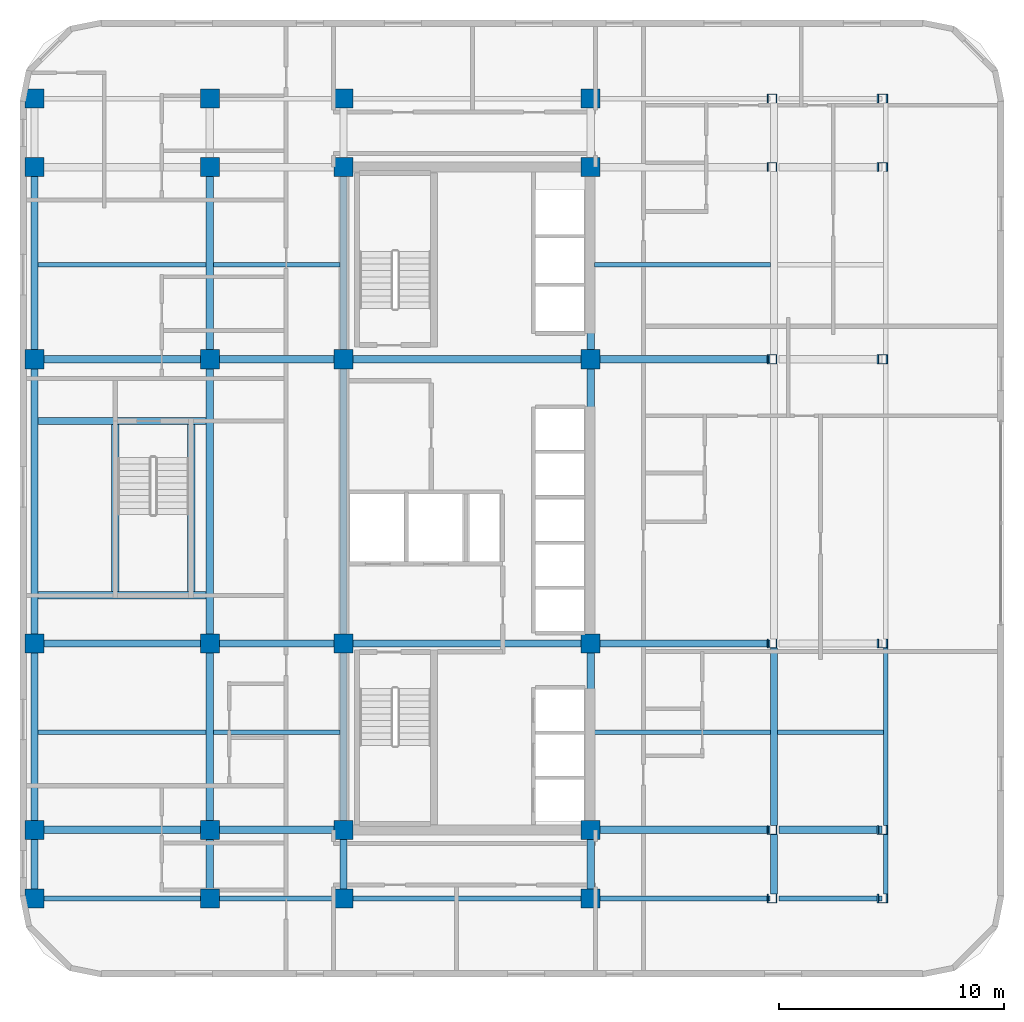
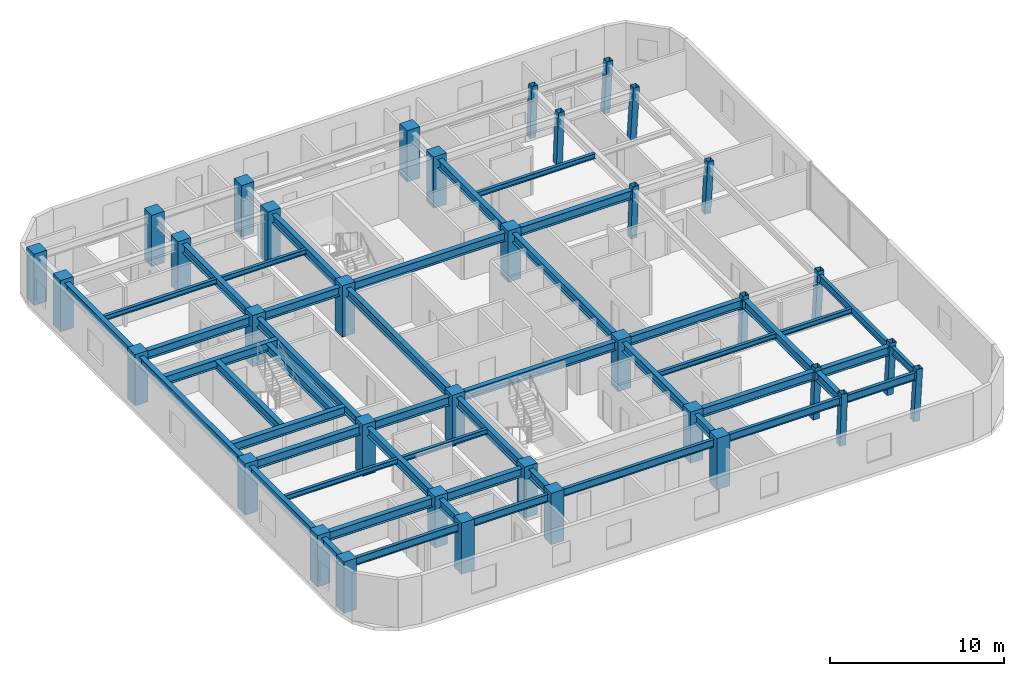
# One storey, part 1 of 9: 48 beams, 36 columns.
"""IFC4 building model written with IfcOpenShell, lengths in metres."""

from ifc_helpers import new_model, si_unit, direction, frame, origin, origin_2d, place, context, subcontext, project, spatial, rectangle, hollow_rectangle, i_section, extrude, material, material_profile, profile_set, type_object, element, save


model = new_model("IFC4")

# Units and contexts
model_context = context("Model", 3, precision=1e-05, world=origin(), true_north=direction((0.0, 1.0)))
body_context = subcontext(model_context, "Body", "Model", "MODEL_VIEW")
ifc_project = project(units=[si_unit("LENGTHUNIT", "METRE"), si_unit("AREAUNIT", "SQUARE_METRE"), si_unit("VOLUMEUNIT", "CUBIC_METRE"), si_unit("PLANEANGLEUNIT", "RADIAN"), si_unit("MASSUNIT", "GRAM", prefix="KILO")], contexts=[model_context])

# Site, building, storey
site_placement = place(None, origin())
site = spatial("IfcSite", under=ifc_project, at=site_placement, CompositionType="ELEMENT")
building_placement = place(site_placement, origin())
building = spatial("IfcBuilding", under=site, at=building_placement, Name="Ochreholt Gables", CompositionType="ELEMENT")
storey_placement = place(building_placement, frame((0.0, 0.0, 94.800048828125)))
storey = spatial("IfcBuildingStorey", under=building, at=storey_placement, Name="L24", CompositionType="ELEMENT", Elevation=94.800048828125)

# Columns
ifc_material_1 = material(Name="Steel CSA G40.21 350W", Category="steel")
ifc_material_profile_1 = material_profile(ifc_material_1, hollow_rectangle(XDim=0.406005859375, YDim=0.406005859375, WallThickness=0.01611328125, at=origin_2d()), Name="HSS406X406X16")
ifc_profile_set_1 = profile_set([ifc_material_profile_1], Name="Steel CSA G40.21 350W")
column_type_1 = type_object("IfcColumnType", Name="COL-HSS406-RAK", PredefinedType="COLUMN", material=ifc_profile_set_1)
for number, where, z_axis, x_axis, name in (
    (1, (43.25390625, 9.25, 0.0), (0.034973505036, 0.0, 0.999388239847), (0.0, 1.0, 0.0), "L24 Column EMY2"),
    (2, (43.25390625, 17.550048828125, 0.0), (0.034973505036, 0.0, 0.999388239847), (0.0, 1.0, 0.0), "L24 Column EMY3"),
    (3, (43.25390625, 30.199951171875, 0.0), (0.034973505036, 0.0, 0.999388239847), (0.0, 1.0, 0.0), "L24 Column EMY4"),
    (4, (43.25390625, 38.75, 0.0), (0.034973505036, 0.0, 0.999388239847), (0.0, 1.0, 0.0), "L24 Column EMY5"),
):
    element("IfcColumn", number, at=place(storey_placement, frame(where, z_axis=z_axis, x_axis=x_axis)), inside=storey, type_object=column_type_1, Name=name, PredefinedType="COLUMN", context=body_context, shape_type="SweptSolid", body=[
        extrude(hollow_rectangle(XDim=0.406005859375, YDim=0.406005859375, WallThickness=0.01611328125, at=origin_2d()), origin(), (0.0, 0.0, 1.0), 3.60205078125),
    ])
ifc_material_profile_2 = material_profile(ifc_material_1, hollow_rectangle(XDim=0.406005859375, YDim=0.406005859375, WallThickness=0.01611328125, at=origin_2d()), Name="HSS406X406X16")
ifc_profile_set_2 = profile_set([ifc_material_profile_2], Name="Steel CSA G40.21 350W")
column_type_2 = type_object("IfcColumnType", Name="COL-HSS406-RAKE", PredefinedType="COLUMN", material=ifc_profile_set_2)
for number, where, z_axis, x_axis, name in (
    (5, (43.25390625, 6.199951171875, 0.0), (0.034973505036, 0.0, 0.999388239847), (0.0, 1.0, 0.0), "L24 Column EMY1"),
    (6, (43.25390625, 41.800048828125, 0.0), (0.034973505036, 0.0, 0.999388239847), (0.0, 1.0, 0.0), "L24 Column EMY6"),
):
    element("IfcColumn", number, at=place(storey_placement, frame(where, z_axis=z_axis, x_axis=x_axis)), inside=storey, type_object=column_type_2, Name=name, PredefinedType="COLUMN", context=body_context, shape_type="SweptSolid", body=[
        extrude(hollow_rectangle(XDim=0.406005859375, YDim=0.406005859375, WallThickness=0.01611328125, at=origin_2d()), origin(), (0.0, 0.0, 1.0), 3.60205078125),
    ])
for number, where, z_axis, x_axis, name in (
    (7, (48.1552734375, 6.199951171875, 0.0), (0.057888518877, 0.0, 0.998323053617), (0.0, 1.0, 0.0), "L24 Column EEY1"),
    (8, (48.1552734375, 9.25, 0.0), (0.057888518877, 0.0, 0.998323053617), (0.0, 1.0, 0.0), "L24 Column EEY2"),
    (9, (48.1552734375, 17.550048828125, 0.0), (0.057888518877, 0.0, 0.998323053617), (0.0, 1.0, 0.0), "L24 Column EEY3"),
    (10, (48.1552734375, 30.199951171875, 0.0), (0.057888518877, 0.0, 0.998323053617), (0.0, 1.0, 0.0), "L24 Column EEY4"),
    (11, (48.1552734375, 38.75, 0.0), (0.057888518877, 0.0, 0.998323053617), (0.0, 1.0, 0.0), "L24 Column EEY5"),
    (12, (48.1552734375, 41.800048828125, 0.0), (0.057888518877, 0.0, 0.998323053617), (0.0, 1.0, 0.0), "L24 Column EEY6"),
):
    element("IfcColumn", number, at=place(storey_placement, frame(where, z_axis=z_axis, x_axis=x_axis)), inside=storey, type_object=column_type_2, Name=name, PredefinedType="COLUMN", context=body_context, shape_type="SweptSolid", body=[
        extrude(hollow_rectangle(XDim=0.406005859375, YDim=0.406005859375, WallThickness=0.01611328125, at=origin_2d()), origin(), (0.0, 0.0, 1.0), 3.60595703125),
    ])
ifc_material_2 = material(Name="Concrete 60 MPa", Category="concrete")
ifc_material_profile_3 = material_profile(ifc_material_2, rectangle(XDim=0.85009765625, YDim=0.85009765625, at=origin_2d()), Name="RC850X850")
ifc_profile_set_3 = profile_set([ifc_material_profile_3], Name="Concrete 60 MPa")
column_type_3 = type_object("IfcColumnType", Name="COL-RC850-EXT", PredefinedType="COLUMN", material=ifc_profile_set_3)
for number, where, z_axis, x_axis, name in (
    (13, (10.449951171875, 6.199951171875, 0.0), (0.0, 0.0, 1.0), (1.0, 0.0, 0.0), "L24 Column W2Y1"),
    (14, (10.449951171875, 9.25, 0.0), (0.0, 0.0, 1.0), (1.0, 0.0, 0.0), "L24 Column W2Y2"),
    (15, (10.449951171875, 17.550048828125, 0.0), (0.0, 0.0, 1.0), (1.0, 0.0, 0.0), "L24 Column W2Y3"),
    (16, (10.449951171875, 30.199951171875, 0.0), (0.0, 0.0, 1.0), (1.0, 0.0, 0.0), "L24 Column W2Y4"),
    (17, (10.449951171875, 38.75, 0.0), (0.0, 0.0, 1.0), (1.0, 0.0, 0.0), "L24 Column W2Y5"),
    (18, (10.449951171875, 41.800048828125, 0.0), (0.0, 0.0, 1.0), (1.0, 0.0, 0.0), "L24 Column W2Y6"),
    (19, (18.25, 6.199951171875, 0.0), (0.0, 0.0, 1.0), (1.0, 0.0, 0.0), "L24 Column W3Y1"),
    (20, (18.25, 41.800048828125, 0.0), (0.0, 0.0, 1.0), (1.0, 0.0, 0.0), "L24 Column W3Y6"),
    (21, (24.199951171875, 6.199951171875, 0.0), (0.0, 0.0, 1.0), (1.0, 0.0, 0.0), "L24 Column C1Y1"),
    (22, (24.199951171875, 41.800048828125, 0.0), (0.0, 0.0, 1.0), (1.0, 0.0, 0.0), "L24 Column C1Y6"),
    (23, (35.199951171875, 6.199951171875, 0.0), (0.0, 0.0, 1.0), (1.0, 0.0, 0.0), "L24 Column C2Y1"),
    (24, (35.199951171875, 41.800048828125, 0.0), (0.0, 0.0, 1.0), (1.0, 0.0, 0.0), "L24 Column C2Y6"),
):
    element("IfcColumn", number, at=place(storey_placement, frame(where, z_axis=z_axis, x_axis=x_axis)), inside=storey, type_object=column_type_3, Name=name, PredefinedType="COLUMN", context=body_context, shape_type="SweptSolid", body=[
        extrude(rectangle(XDim=0.85009765625, YDim=0.85009765625, at=origin_2d()), origin(), (0.0, 0.0, 1.0), 3.599853515625),
    ])
ifc_material_profile_4 = material_profile(ifc_material_2, rectangle(XDim=0.85009765625, YDim=0.85009765625, at=origin_2d()), Name="RC850X850")
ifc_profile_set_4 = profile_set([ifc_material_profile_4], Name="Concrete 60 MPa")
column_type_4 = type_object("IfcColumnType", Name="COL-RC850-INT", PredefinedType="COLUMN", material=ifc_profile_set_4)
for number, where, z_axis, x_axis, name in (
    (25, (18.25, 9.25, 0.0), (0.0, 0.0, 1.0), (1.0, 0.0, 0.0), "L24 Column W3Y2"),
    (26, (18.25, 17.550048828125, 0.0), (0.0, 0.0, 1.0), (1.0, 0.0, 0.0), "L24 Column W3Y3"),
    (27, (18.25, 30.199951171875, 0.0), (0.0, 0.0, 1.0), (1.0, 0.0, 0.0), "L24 Column W3Y4"),
    (28, (18.25, 38.75, 0.0), (0.0, 0.0, 1.0), (1.0, 0.0, 0.0), "L24 Column W3Y5"),
    (29, (24.199951171875, 9.25, 0.0), (0.0, 0.0, 1.0), (1.0, 0.0, 0.0), "L24 Column C1Y2"),
    (30, (24.199951171875, 17.550048828125, 0.0), (0.0, 0.0, 1.0), (1.0, 0.0, 0.0), "L24 Column C1Y3"),
    (31, (24.199951171875, 30.199951171875, 0.0), (0.0, 0.0, 1.0), (1.0, 0.0, 0.0), "L24 Column C1Y4"),
    (32, (24.199951171875, 38.75, 0.0), (0.0, 0.0, 1.0), (1.0, 0.0, 0.0), "L24 Column C1Y5"),
    (33, (35.199951171875, 9.25, 0.0), (0.0, 0.0, 1.0), (1.0, 0.0, 0.0), "L24 Column C2Y2"),
    (34, (35.199951171875, 17.550048828125, 0.0), (0.0, 0.0, 1.0), (1.0, 0.0, 0.0), "L24 Column C2Y3"),
    (35, (35.199951171875, 30.199951171875, 0.0), (0.0, 0.0, 1.0), (1.0, 0.0, 0.0), "L24 Column C2Y4"),
    (36, (35.199951171875, 38.75, 0.0), (0.0, 0.0, 1.0), (1.0, 0.0, 0.0), "L24 Column C2Y5"),
):
    element("IfcColumn", number, at=place(storey_placement, frame(where, z_axis=z_axis, x_axis=x_axis)), inside=storey, type_object=column_type_4, Name=name, PredefinedType="COLUMN", context=body_context, shape_type="SweptSolid", body=[
        extrude(rectangle(XDim=0.85009765625, YDim=0.85009765625, at=origin_2d()), origin(), (0.0, 0.0, 1.0), 3.599853515625),
    ])

# Beams
ifc_material_profile_5 = material_profile(ifc_material_1, i_section(OverallWidth=0.323974609375, OverallDepth=0.611083984375, WebThickness=0.0126953125, FlangeThickness=0.01904296875, at=origin_2d()), Name="W610X155")
ifc_profile_set_5 = profile_set([ifc_material_profile_5], Name="Steel CSA G40.21 350W")
beam_type_1 = type_object("IfcBeamType", Name="BM-G-W610A", PredefinedType="BEAM", material=ifc_profile_set_5)
beam_1_placement = place(storey_placement, frame((10.87451171875, 9.25, 3.04443359375), z_axis=(1.0, 0.0, 0.0), x_axis=(0.0, 1.0, 0.0)))
element("IfcBeam", 37, at=beam_1_placement, inside=storey, type_object=beam_type_1, Name="L24 Beam TBG-L24-W2W3-Y2", PredefinedType="BEAM", context=body_context, shape_type="SweptSolid", body=[
    extrude(i_section(OverallWidth=0.323974609375, OverallDepth=0.611083984375, WebThickness=0.0126953125, FlangeThickness=0.01904296875, at=origin_2d()), origin(), (0.0, 0.0, 1.0), 6.950927734375),
])
beam_2_placement = place(storey_placement, frame((18.674560546875, 9.25, 3.04443359375), z_axis=(1.0, 0.0, 0.0), x_axis=(0.0, 1.0, 0.0)))
element("IfcBeam", 38, at=beam_2_placement, inside=storey, type_object=beam_type_1, Name="L24 Beam TBG-L24-W3C1-Y2", PredefinedType="BEAM", context=body_context, shape_type="SweptSolid", body=[
    extrude(i_section(OverallWidth=0.323974609375, OverallDepth=0.611083984375, WebThickness=0.0126953125, FlangeThickness=0.01904296875, at=origin_2d()), origin(), (0.0, 0.0, 1.0), 5.100830078125),
])
beam_3_placement = place(storey_placement, frame((35.62451171875, 9.25, 3.04443359375), z_axis=(1.0, 0.0, 0.0), x_axis=(0.0, 1.0, 0.0)))
element("IfcBeam", 39, at=beam_3_placement, inside=storey, type_object=beam_type_1, Name="L24 Beam TBG-L24-C2EM-Y2", PredefinedType="BEAM", context=body_context, shape_type="SweptSolid", body=[
    extrude(i_section(OverallWidth=0.323974609375, OverallDepth=0.611083984375, WebThickness=0.0126953125, FlangeThickness=0.01904296875, at=origin_2d()), origin(), (0.0, 0.0, 1.0), 7.552978515625),
])
beam_4_placement = place(storey_placement, frame((43.58251953125, 9.25, 3.04443359375), z_axis=(1.0, 0.0, 0.0), x_axis=(0.0, 1.0, 0.0)))
element("IfcBeam", 40, at=beam_4_placement, inside=storey, type_object=beam_type_1, Name="L24 Beam TBG-L24-EMEE-Y2", PredefinedType="BEAM", context=body_context, shape_type="SweptSolid", body=[
    extrude(i_section(OverallWidth=0.323974609375, OverallDepth=0.611083984375, WebThickness=0.0126953125, FlangeThickness=0.01904296875, at=origin_2d()), origin(), (0.0, 0.0, 1.0), 4.578857421875),
])
beam_5_placement = place(storey_placement, frame((10.87451171875, 17.550048828125, 3.04443359375), z_axis=(1.0, 0.0, 0.0), x_axis=(0.0, 1.0, 0.0)))
element("IfcBeam", 41, at=beam_5_placement, inside=storey, type_object=beam_type_1, Name="L24 Beam TBG-L24-W2W3-Y3", PredefinedType="BEAM", context=body_context, shape_type="SweptSolid", body=[
    extrude(i_section(OverallWidth=0.323974609375, OverallDepth=0.611083984375, WebThickness=0.0126953125, FlangeThickness=0.01904296875, at=origin_2d()), origin(), (0.0, 0.0, 1.0), 6.950927734375),
])
beam_6_placement = place(storey_placement, frame((18.674560546875, 17.550048828125, 3.04443359375), z_axis=(1.0, 0.0, 0.0), x_axis=(0.0, 1.0, 0.0)))
element("IfcBeam", 42, at=beam_6_placement, inside=storey, type_object=beam_type_1, Name="L24 Beam TBG-L24-W3C1-Y3", PredefinedType="BEAM", context=body_context, shape_type="SweptSolid", body=[
    extrude(i_section(OverallWidth=0.323974609375, OverallDepth=0.611083984375, WebThickness=0.0126953125, FlangeThickness=0.01904296875, at=origin_2d()), origin(), (0.0, 0.0, 1.0), 5.100830078125),
])
beam_7_placement = place(storey_placement, frame((24.62451171875, 17.550048828125, 3.04443359375), z_axis=(1.0, 0.0, 0.0), x_axis=(0.0, 1.0, 0.0)))
element("IfcBeam", 43, at=beam_7_placement, inside=storey, type_object=beam_type_1, Name="L24 Beam TBG-L24-C1C2-Y3", PredefinedType="BEAM", context=body_context, shape_type="SweptSolid", body=[
    extrude(i_section(OverallWidth=0.323974609375, OverallDepth=0.611083984375, WebThickness=0.0126953125, FlangeThickness=0.01904296875, at=origin_2d()), origin(), (0.0, 0.0, 1.0), 10.15087890625),
])
beam_8_placement = place(storey_placement, frame((35.62451171875, 17.550048828125, 3.04443359375), z_axis=(1.0, 0.0, 0.0), x_axis=(0.0, 1.0, 0.0)))
element("IfcBeam", 44, at=beam_8_placement, inside=storey, type_object=beam_type_1, Name="L24 Beam TBG-L24-C2EM-Y3", PredefinedType="BEAM", context=body_context, shape_type="SweptSolid", body=[
    extrude(i_section(OverallWidth=0.323974609375, OverallDepth=0.611083984375, WebThickness=0.0126953125, FlangeThickness=0.01904296875, at=origin_2d()), origin(), (0.0, 0.0, 1.0), 7.552978515625),
])
beam_9_placement = place(storey_placement, frame((10.87451171875, 30.199951171875, 3.04443359375), z_axis=(1.0, 0.0, 0.0), x_axis=(0.0, 1.0, 0.0)))
element("IfcBeam", 45, at=beam_9_placement, inside=storey, type_object=beam_type_1, Name="L24 Beam TBG-L24-W2W3-Y4", PredefinedType="BEAM", context=body_context, shape_type="SweptSolid", body=[
    extrude(i_section(OverallWidth=0.323974609375, OverallDepth=0.611083984375, WebThickness=0.0126953125, FlangeThickness=0.01904296875, at=origin_2d()), origin(), (0.0, 0.0, 1.0), 6.950927734375),
])
beam_10_placement = place(storey_placement, frame((18.674560546875, 30.199951171875, 3.04443359375), z_axis=(1.0, 0.0, 0.0), x_axis=(0.0, 1.0, 0.0)))
element("IfcBeam", 46, at=beam_10_placement, inside=storey, type_object=beam_type_1, Name="L24 Beam TBG-L24-W3C1-Y4", PredefinedType="BEAM", context=body_context, shape_type="SweptSolid", body=[
    extrude(i_section(OverallWidth=0.323974609375, OverallDepth=0.611083984375, WebThickness=0.0126953125, FlangeThickness=0.01904296875, at=origin_2d()), origin(), (0.0, 0.0, 1.0), 5.100830078125),
])
beam_11_placement = place(storey_placement, frame((24.62451171875, 30.199951171875, 3.04443359375), z_axis=(1.0, 0.0, 0.0), x_axis=(0.0, 1.0, 0.0)))
element("IfcBeam", 47, at=beam_11_placement, inside=storey, type_object=beam_type_1, Name="L24 Beam TBG-L24-C1C2-Y4", PredefinedType="BEAM", context=body_context, shape_type="SweptSolid", body=[
    extrude(i_section(OverallWidth=0.323974609375, OverallDepth=0.611083984375, WebThickness=0.0126953125, FlangeThickness=0.01904296875, at=origin_2d()), origin(), (0.0, 0.0, 1.0), 10.15087890625),
])
beam_12_placement = place(storey_placement, frame((35.62451171875, 30.199951171875, 3.04443359375), z_axis=(1.0, 0.0, 0.0), x_axis=(0.0, 1.0, 0.0)))
element("IfcBeam", 48, at=beam_12_placement, inside=storey, type_object=beam_type_1, Name="L24 Beam TBG-L24-C2EM-Y4", PredefinedType="BEAM", context=body_context, shape_type="SweptSolid", body=[
    extrude(i_section(OverallWidth=0.323974609375, OverallDepth=0.611083984375, WebThickness=0.0126953125, FlangeThickness=0.01904296875, at=origin_2d()), origin(), (0.0, 0.0, 1.0), 7.552978515625),
])
beam_13_placement = place(storey_placement, frame((10.449951171875, 6.62451171875, 3.04443359375), z_axis=(0.0, 1.0, 0.0), x_axis=(-1.0, 0.0, 0.0)))
element("IfcBeam", 49, at=beam_13_placement, inside=storey, type_object=beam_type_1, Name="L24 Beam TBN-L24-W2-Y1Y2", PredefinedType="BEAM", context=body_context, shape_type="SweptSolid", body=[
    extrude(i_section(OverallWidth=0.323974609375, OverallDepth=0.611083984375, WebThickness=0.0126953125, FlangeThickness=0.01904296875, at=origin_2d()), origin(), (0.0, 0.0, 1.0), 2.200927734375),
])
beam_14_placement = place(storey_placement, frame((10.449951171875, 9.674560546875, 3.04443359375), z_axis=(0.0, 1.0, 0.0), x_axis=(-1.0, 0.0, 0.0)))
element("IfcBeam", 50, at=beam_14_placement, inside=storey, type_object=beam_type_1, Name="L24 Beam TBN-L24-W2-Y2Y3", PredefinedType="BEAM", context=body_context, shape_type="SweptSolid", body=[
    extrude(i_section(OverallWidth=0.323974609375, OverallDepth=0.611083984375, WebThickness=0.0126953125, FlangeThickness=0.01904296875, at=origin_2d()), origin(), (0.0, 0.0, 1.0), 7.450927734375),
])
beam_15_placement = place(storey_placement, frame((10.449951171875, 17.974609375, 3.04443359375), z_axis=(0.0, 1.0, 0.0), x_axis=(-1.0, 0.0, 0.0)))
element("IfcBeam", 51, at=beam_15_placement, inside=storey, type_object=beam_type_1, Name="L24 Beam TBN-L24-W2-Y3Y4", PredefinedType="BEAM", context=body_context, shape_type="SweptSolid", body=[
    extrude(i_section(OverallWidth=0.323974609375, OverallDepth=0.611083984375, WebThickness=0.0126953125, FlangeThickness=0.01904296875, at=origin_2d()), origin(), (0.0, 0.0, 1.0), 11.80078125),
])
beam_16_placement = place(storey_placement, frame((10.449951171875, 30.62451171875, 3.04443359375), z_axis=(0.0, 1.0, 0.0), x_axis=(-1.0, 0.0, 0.0)))
element("IfcBeam", 52, at=beam_16_placement, inside=storey, type_object=beam_type_1, Name="L24 Beam TBN-L24-W2-Y4Y5", PredefinedType="BEAM", context=body_context, shape_type="SweptSolid", body=[
    extrude(i_section(OverallWidth=0.323974609375, OverallDepth=0.611083984375, WebThickness=0.0126953125, FlangeThickness=0.01904296875, at=origin_2d()), origin(), (0.0, 0.0, 1.0), 7.700927734375),
])
beam_17_placement = place(storey_placement, frame((18.25, 6.62451171875, 3.04443359375), z_axis=(0.0, 1.0, 0.0), x_axis=(-1.0, 0.0, 0.0)))
element("IfcBeam", 53, at=beam_17_placement, inside=storey, type_object=beam_type_1, Name="L24 Beam TBN-L24-W3-Y1Y2", PredefinedType="BEAM", context=body_context, shape_type="SweptSolid", body=[
    extrude(i_section(OverallWidth=0.323974609375, OverallDepth=0.611083984375, WebThickness=0.0126953125, FlangeThickness=0.01904296875, at=origin_2d()), origin(), (0.0, 0.0, 1.0), 2.200927734375),
])
beam_18_placement = place(storey_placement, frame((18.25, 9.674560546875, 3.04443359375), z_axis=(0.0, 1.0, 0.0), x_axis=(-1.0, 0.0, 0.0)))
element("IfcBeam", 54, at=beam_18_placement, inside=storey, type_object=beam_type_1, Name="L24 Beam TBN-L24-W3-Y2Y3", PredefinedType="BEAM", context=body_context, shape_type="SweptSolid", body=[
    extrude(i_section(OverallWidth=0.323974609375, OverallDepth=0.611083984375, WebThickness=0.0126953125, FlangeThickness=0.01904296875, at=origin_2d()), origin(), (0.0, 0.0, 1.0), 7.450927734375),
])
beam_19_placement = place(storey_placement, frame((18.25, 17.974609375, 3.04443359375), z_axis=(0.0, 1.0, 0.0), x_axis=(-1.0, 0.0, 0.0)))
element("IfcBeam", 55, at=beam_19_placement, inside=storey, type_object=beam_type_1, Name="L24 Beam TBN-L24-W3-Y3Y4", PredefinedType="BEAM", context=body_context, shape_type="SweptSolid", body=[
    extrude(i_section(OverallWidth=0.323974609375, OverallDepth=0.611083984375, WebThickness=0.0126953125, FlangeThickness=0.01904296875, at=origin_2d()), origin(), (0.0, 0.0, 1.0), 11.80078125),
])
beam_20_placement = place(storey_placement, frame((18.25, 30.62451171875, 3.04443359375), z_axis=(0.0, 1.0, 0.0), x_axis=(-1.0, 0.0, 0.0)))
element("IfcBeam", 56, at=beam_20_placement, inside=storey, type_object=beam_type_1, Name="L24 Beam TBN-L24-W3-Y4Y5", PredefinedType="BEAM", context=body_context, shape_type="SweptSolid", body=[
    extrude(i_section(OverallWidth=0.323974609375, OverallDepth=0.611083984375, WebThickness=0.0126953125, FlangeThickness=0.01904296875, at=origin_2d()), origin(), (0.0, 0.0, 1.0), 7.700927734375),
])
beam_21_placement = place(storey_placement, frame((24.199951171875, 6.62451171875, 3.04443359375), z_axis=(0.0, 1.0, 0.0), x_axis=(-1.0, 0.0, 0.0)))
element("IfcBeam", 57, at=beam_21_placement, inside=storey, type_object=beam_type_1, Name="L24 Beam TBN-L24-C1-Y1Y2", PredefinedType="BEAM", context=body_context, shape_type="SweptSolid", body=[
    extrude(i_section(OverallWidth=0.323974609375, OverallDepth=0.611083984375, WebThickness=0.0126953125, FlangeThickness=0.01904296875, at=origin_2d()), origin(), (0.0, 0.0, 1.0), 2.200927734375),
])
beam_22_placement = place(storey_placement, frame((24.199951171875, 9.674560546875, 3.04443359375), z_axis=(0.0, 1.0, 0.0), x_axis=(-1.0, 0.0, 0.0)))
element("IfcBeam", 58, at=beam_22_placement, inside=storey, type_object=beam_type_1, Name="L24 Beam TBN-L24-C1-Y2Y3", PredefinedType="BEAM", context=body_context, shape_type="SweptSolid", body=[
    extrude(i_section(OverallWidth=0.323974609375, OverallDepth=0.611083984375, WebThickness=0.0126953125, FlangeThickness=0.01904296875, at=origin_2d()), origin(), (0.0, 0.0, 1.0), 7.450927734375),
])
beam_23_placement = place(storey_placement, frame((24.199951171875, 17.974609375, 3.04443359375), z_axis=(0.0, 1.0, 0.0), x_axis=(-1.0, 0.0, 0.0)))
element("IfcBeam", 59, at=beam_23_placement, inside=storey, type_object=beam_type_1, Name="L24 Beam TBN-L24-C1-Y3Y4", PredefinedType="BEAM", context=body_context, shape_type="SweptSolid", body=[
    extrude(i_section(OverallWidth=0.323974609375, OverallDepth=0.611083984375, WebThickness=0.0126953125, FlangeThickness=0.01904296875, at=origin_2d()), origin(), (0.0, 0.0, 1.0), 11.80078125),
])
beam_24_placement = place(storey_placement, frame((24.199951171875, 30.62451171875, 3.04443359375), z_axis=(0.0, 1.0, 0.0), x_axis=(-1.0, 0.0, 0.0)))
element("IfcBeam", 60, at=beam_24_placement, inside=storey, type_object=beam_type_1, Name="L24 Beam TBN-L24-C1-Y4Y5", PredefinedType="BEAM", context=body_context, shape_type="SweptSolid", body=[
    extrude(i_section(OverallWidth=0.323974609375, OverallDepth=0.611083984375, WebThickness=0.0126953125, FlangeThickness=0.01904296875, at=origin_2d()), origin(), (0.0, 0.0, 1.0), 7.700927734375),
])
beam_25_placement = place(storey_placement, frame((35.199951171875, 6.62451171875, 3.04443359375), z_axis=(0.0, 1.0, 0.0), x_axis=(-1.0, 0.0, 0.0)))
element("IfcBeam", 61, at=beam_25_placement, inside=storey, type_object=beam_type_1, Name="L24 Beam TBN-L24-C2-Y1Y2", PredefinedType="BEAM", context=body_context, shape_type="SweptSolid", body=[
    extrude(i_section(OverallWidth=0.323974609375, OverallDepth=0.611083984375, WebThickness=0.0126953125, FlangeThickness=0.01904296875, at=origin_2d()), origin(), (0.0, 0.0, 1.0), 2.200927734375),
])
beam_26_placement = place(storey_placement, frame((35.199951171875, 9.674560546875, 3.04443359375), z_axis=(0.0, 1.0, 0.0), x_axis=(-1.0, 0.0, 0.0)))
element("IfcBeam", 62, at=beam_26_placement, inside=storey, type_object=beam_type_1, Name="L24 Beam TBN-L24-C2-Y2Y3", PredefinedType="BEAM", context=body_context, shape_type="SweptSolid", body=[
    extrude(i_section(OverallWidth=0.323974609375, OverallDepth=0.611083984375, WebThickness=0.0126953125, FlangeThickness=0.01904296875, at=origin_2d()), origin(), (0.0, 0.0, 1.0), 7.450927734375),
])
beam_27_placement = place(storey_placement, frame((35.199951171875, 17.974609375, 3.04443359375), z_axis=(0.0, 1.0, 0.0), x_axis=(-1.0, 0.0, 0.0)))
element("IfcBeam", 63, at=beam_27_placement, inside=storey, type_object=beam_type_1, Name="L24 Beam TBN-L24-C2-Y3Y4", PredefinedType="BEAM", context=body_context, shape_type="SweptSolid", body=[
    extrude(i_section(OverallWidth=0.323974609375, OverallDepth=0.611083984375, WebThickness=0.0126953125, FlangeThickness=0.01904296875, at=origin_2d()), origin(), (0.0, 0.0, 1.0), 11.80078125),
])
beam_28_placement = place(storey_placement, frame((35.199951171875, 30.62451171875, 3.04443359375), z_axis=(0.0, 1.0, 0.0), x_axis=(-1.0, 0.0, 0.0)))
element("IfcBeam", 64, at=beam_28_placement, inside=storey, type_object=beam_type_1, Name="L24 Beam TBN-L24-C2-Y4Y5", PredefinedType="BEAM", context=body_context, shape_type="SweptSolid", body=[
    extrude(i_section(OverallWidth=0.323974609375, OverallDepth=0.611083984375, WebThickness=0.0126953125, FlangeThickness=0.01904296875, at=origin_2d()), origin(), (0.0, 0.0, 1.0), 7.700927734375),
])
beam_29_placement = place(storey_placement, frame((43.362548828125, 6.402587890625, 3.04443359375), z_axis=(0.0, 1.0, 0.0), x_axis=(-1.0, 0.0, 0.0)))
element("IfcBeam", 65, at=beam_29_placement, inside=storey, type_object=beam_type_1, Name="L24 Beam TBN-L24-EM-Y1Y2", PredefinedType="BEAM", context=body_context, shape_type="SweptSolid", body=[
    extrude(i_section(OverallWidth=0.323974609375, OverallDepth=0.611083984375, WebThickness=0.0126953125, FlangeThickness=0.01904296875, at=origin_2d()), origin(), (0.0, 0.0, 1.0), 2.644775390625),
])
beam_30_placement = place(storey_placement, frame((43.362548828125, 9.45263671875, 3.04443359375), z_axis=(0.0, 1.0, 0.0), x_axis=(-1.0, 0.0, 0.0)))
element("IfcBeam", 66, at=beam_30_placement, inside=storey, type_object=beam_type_1, Name="L24 Beam TBN-L24-EM-Y2Y3", PredefinedType="BEAM", context=body_context, shape_type="SweptSolid", body=[
    extrude(i_section(OverallWidth=0.323974609375, OverallDepth=0.611083984375, WebThickness=0.0126953125, FlangeThickness=0.01904296875, at=origin_2d()), origin(), (0.0, 0.0, 1.0), 7.894775390625),
])
for number, where, z_axis, x_axis, name in (
    (67, (10.611572265625, 19.68994140625, 3.04443359375), (1.0, 0.0, 0.0), (0.0, 1.0, 0.0), "L24 Beam TBH-L24-ST-C2-FSTUS"),
    (68, (10.611572265625, 27.449951171875, 3.04443359375), (1.0, 0.0, 0.0), (0.0, 1.0, 0.0), "L24 Beam TBH-L24-ST-C2-FSTUN"),
):
    element("IfcBeam", number, at=place(storey_placement, frame(where, z_axis=z_axis, x_axis=x_axis)), inside=storey, type_object=beam_type_1, Name=name, PredefinedType="BEAM", context=body_context, shape_type="SweptSolid", body=[
        extrude(i_section(OverallWidth=0.323974609375, OverallDepth=0.611083984375, WebThickness=0.0126953125, FlangeThickness=0.01904296875, at=origin_2d()), origin(), (0.0, 0.0, 1.0), 7.476806640625),
    ])
for number, where, z_axis, x_axis, name in (
    (69, (14.0400390625, 19.8515625, 3.04443359375), (0.0, 1.0, 0.0), (-1.0, 0.0, 0.0), "L24 Beam TBT-L24-ST-C2-FSTUW"),
    (70, (17.419921875, 19.8515625, 3.04443359375), (0.0, 1.0, 0.0), (-1.0, 0.0, 0.0), "L24 Beam TBT-L24-ST-C2-FSTUE"),
):
    element("IfcBeam", number, at=place(storey_placement, frame(where, z_axis=z_axis, x_axis=x_axis)), inside=storey, type_object=beam_type_1, Name=name, PredefinedType="BEAM", context=body_context, shape_type="SweptSolid", body=[
        extrude(i_section(OverallWidth=0.323974609375, OverallDepth=0.611083984375, WebThickness=0.0126953125, FlangeThickness=0.01904296875, at=origin_2d()), origin(), (0.0, 0.0, 1.0), 7.436767578125),
    ])
ifc_material_profile_6 = material_profile(ifc_material_1, i_section(OverallWidth=0.205078125, OverallDepth=0.35400390625, WebThickness=0.009521484375, FlangeThickness=0.016845703125, at=origin_2d()), Name="W360X79")
ifc_profile_set_6 = profile_set([ifc_material_profile_6], Name="Steel CSA G40.21 350W")
beam_type_2 = type_object("IfcBeamType", Name="BM-J-W360A", PredefinedType="JOIST", material=ifc_profile_set_6)
beam_31_placement = place(storey_placement, frame((10.611572265625, 13.60009765625, 3.1728515625), z_axis=(1.0, 0.0, 0.0), x_axis=(0.0, 1.0, 0.0)))
element("IfcBeam", 71, at=beam_31_placement, inside=storey, type_object=beam_type_2, Name="L24 Beam TBJ-L24-J1-W2W3", PredefinedType="JOIST", context=body_context, shape_type="SweptSolid", body=[
    extrude(i_section(OverallWidth=0.205078125, OverallDepth=0.35400390625, WebThickness=0.009521484375, FlangeThickness=0.016845703125, at=origin_2d()), origin(), (0.0, 0.0, 1.0), 7.476806640625),
])
beam_32_placement = place(storey_placement, frame((18.41162109375, 13.60009765625, 3.1728515625), z_axis=(1.0, 0.0, 0.0), x_axis=(0.0, 1.0, 0.0)))
element("IfcBeam", 72, at=beam_32_placement, inside=storey, type_object=beam_type_2, Name="L24 Beam TBJ-L24-J1-W3C1", PredefinedType="JOIST", context=body_context, shape_type="SweptSolid", body=[
    extrude(i_section(OverallWidth=0.205078125, OverallDepth=0.35400390625, WebThickness=0.009521484375, FlangeThickness=0.016845703125, at=origin_2d()), origin(), (0.0, 0.0, 1.0), 5.626708984375),
])
beam_33_placement = place(storey_placement, frame((35.361572265625, 13.60009765625, 3.1728515625), z_axis=(1.0, 0.0, 0.0), x_axis=(0.0, 1.0, 0.0)))
element("IfcBeam", 73, at=beam_33_placement, inside=storey, type_object=beam_type_2, Name="L24 Beam TBJ-L24-J1-C2EM", PredefinedType="JOIST", context=body_context, shape_type="SweptSolid", body=[
    extrude(i_section(OverallWidth=0.205078125, OverallDepth=0.35400390625, WebThickness=0.009521484375, FlangeThickness=0.016845703125, at=origin_2d()), origin(), (0.0, 0.0, 1.0), 7.83935546875),
])
beam_34_placement = place(storey_placement, frame((43.524169921875, 13.60009765625, 3.1728515625), z_axis=(1.0, 0.0, 0.0), x_axis=(0.0, 1.0, 0.0)))
element("IfcBeam", 74, at=beam_34_placement, inside=storey, type_object=beam_type_2, Name="L24 Beam TBJ-L24-J1-EMEE", PredefinedType="JOIST", context=body_context, shape_type="SweptSolid", body=[
    extrude(i_section(OverallWidth=0.205078125, OverallDepth=0.35400390625, WebThickness=0.009521484375, FlangeThickness=0.016845703125, at=origin_2d()), origin(), (0.0, 0.0, 1.0), 4.706787109375),
])
beam_35_placement = place(storey_placement, frame((10.611572265625, 34.39990234375, 3.1728515625), z_axis=(1.0, 0.0, 0.0), x_axis=(0.0, 1.0, 0.0)))
element("IfcBeam", 75, at=beam_35_placement, inside=storey, type_object=beam_type_2, Name="L24 Beam TBJ-L24-J2-W2W3", PredefinedType="JOIST", context=body_context, shape_type="SweptSolid", body=[
    extrude(i_section(OverallWidth=0.205078125, OverallDepth=0.35400390625, WebThickness=0.009521484375, FlangeThickness=0.016845703125, at=origin_2d()), origin(), (0.0, 0.0, 1.0), 7.476806640625),
])
beam_36_placement = place(storey_placement, frame((18.41162109375, 34.39990234375, 3.1728515625), z_axis=(1.0, 0.0, 0.0), x_axis=(0.0, 1.0, 0.0)))
element("IfcBeam", 76, at=beam_36_placement, inside=storey, type_object=beam_type_2, Name="L24 Beam TBJ-L24-J2-W3C1", PredefinedType="JOIST", context=body_context, shape_type="SweptSolid", body=[
    extrude(i_section(OverallWidth=0.205078125, OverallDepth=0.35400390625, WebThickness=0.009521484375, FlangeThickness=0.016845703125, at=origin_2d()), origin(), (0.0, 0.0, 1.0), 5.626708984375),
])
beam_37_placement = place(storey_placement, frame((35.361572265625, 34.39990234375, 3.1728515625), z_axis=(1.0, 0.0, 0.0), x_axis=(0.0, 1.0, 0.0)))
element("IfcBeam", 77, at=beam_37_placement, inside=storey, type_object=beam_type_2, Name="L24 Beam TBJ-L24-J2-C2EM", PredefinedType="JOIST", context=body_context, shape_type="SweptSolid", body=[
    extrude(i_section(OverallWidth=0.205078125, OverallDepth=0.35400390625, WebThickness=0.009521484375, FlangeThickness=0.016845703125, at=origin_2d()), origin(), (0.0, 0.0, 1.0), 7.83935546875),
])
ifc_material_profile_7 = material_profile(ifc_material_1, i_section(OverallWidth=0.208984375, OverallDepth=0.532958984375, WebThickness=0.01025390625, FlangeThickness=0.015625, at=origin_2d()), Name="W530X92")
ifc_profile_set_7 = profile_set([ifc_material_profile_7], Name="Steel CSA G40.21 350W")
beam_type_3 = type_object("IfcBeamType", Name="BM-SP-W530B", PredefinedType="SPANDREL", material=ifc_profile_set_7)
beam_38_placement = place(storey_placement, frame((10.87451171875, 6.199951171875, 3.08349609375), z_axis=(1.0, 0.0, 0.0), x_axis=(0.0, 1.0, 0.0)))
element("IfcBeam", 78, at=beam_38_placement, inside=storey, type_object=beam_type_3, Name="L24 Beam TBG-L24-W2W3-Y1", PredefinedType="SPANDREL", context=body_context, shape_type="SweptSolid", body=[
    extrude(i_section(OverallWidth=0.208984375, OverallDepth=0.532958984375, WebThickness=0.01025390625, FlangeThickness=0.015625, at=origin_2d()), origin(), (0.0, 0.0, 1.0), 6.950927734375),
])
beam_39_placement = place(storey_placement, frame((18.674560546875, 6.199951171875, 3.08349609375), z_axis=(1.0, 0.0, 0.0), x_axis=(0.0, 1.0, 0.0)))
element("IfcBeam", 79, at=beam_39_placement, inside=storey, type_object=beam_type_3, Name="L24 Beam TBG-L24-W3C1-Y1", PredefinedType="SPANDREL", context=body_context, shape_type="SweptSolid", body=[
    extrude(i_section(OverallWidth=0.208984375, OverallDepth=0.532958984375, WebThickness=0.01025390625, FlangeThickness=0.015625, at=origin_2d()), origin(), (0.0, 0.0, 1.0), 5.100830078125),
])
beam_40_placement = place(storey_placement, frame((24.62451171875, 6.199951171875, 3.08349609375), z_axis=(1.0, 0.0, 0.0), x_axis=(0.0, 1.0, 0.0)))
element("IfcBeam", 80, at=beam_40_placement, inside=storey, type_object=beam_type_3, Name="L24 Beam TBG-L24-C1C2-Y1", PredefinedType="SPANDREL", context=body_context, shape_type="SweptSolid", body=[
    extrude(i_section(OverallWidth=0.208984375, OverallDepth=0.532958984375, WebThickness=0.01025390625, FlangeThickness=0.015625, at=origin_2d()), origin(), (0.0, 0.0, 1.0), 10.15087890625),
])
beam_41_placement = place(storey_placement, frame((35.62451171875, 6.199951171875, 3.08349609375), z_axis=(1.0, 0.0, 0.0), x_axis=(0.0, 1.0, 0.0)))
element("IfcBeam", 81, at=beam_41_placement, inside=storey, type_object=beam_type_3, Name="L24 Beam TBG-L24-C2EM-Y1", PredefinedType="SPANDREL", context=body_context, shape_type="SweptSolid", body=[
    extrude(i_section(OverallWidth=0.208984375, OverallDepth=0.532958984375, WebThickness=0.01025390625, FlangeThickness=0.015625, at=origin_2d()), origin(), (0.0, 0.0, 1.0), 7.552978515625),
])
beam_42_placement = place(storey_placement, frame((43.58251953125, 6.199951171875, 3.08349609375), z_axis=(1.0, 0.0, 0.0), x_axis=(0.0, 1.0, 0.0)))
element("IfcBeam", 82, at=beam_42_placement, inside=storey, type_object=beam_type_3, Name="L24 Beam TBG-L24-EMEE-Y1", PredefinedType="SPANDREL", context=body_context, shape_type="SweptSolid", body=[
    extrude(i_section(OverallWidth=0.208984375, OverallDepth=0.532958984375, WebThickness=0.01025390625, FlangeThickness=0.015625, at=origin_2d()), origin(), (0.0, 0.0, 1.0), 4.578857421875),
])
beam_43_placement = place(storey_placement, frame((48.3349609375, 6.402587890625, 3.08349609375), z_axis=(0.0, 1.0, 0.0), x_axis=(-1.0, 0.0, 0.0)))
element("IfcBeam", 83, at=beam_43_placement, inside=storey, type_object=beam_type_3, Name="L24 Beam TBN-L24-EE-Y1Y2", PredefinedType="SPANDREL", context=body_context, shape_type="SweptSolid", body=[
    extrude(i_section(OverallWidth=0.208984375, OverallDepth=0.532958984375, WebThickness=0.01025390625, FlangeThickness=0.015625, at=origin_2d()), origin(), (0.0, 0.0, 1.0), 2.644775390625),
])
beam_44_placement = place(storey_placement, frame((48.3349609375, 9.45263671875, 3.08349609375), z_axis=(0.0, 1.0, 0.0), x_axis=(-1.0, 0.0, 0.0)))
element("IfcBeam", 84, at=beam_44_placement, inside=storey, type_object=beam_type_3, Name="L24 Beam TBN-L24-EE-Y2Y3", PredefinedType="SPANDREL", context=body_context, shape_type="SweptSolid", body=[
    extrude(i_section(OverallWidth=0.208984375, OverallDepth=0.532958984375, WebThickness=0.01025390625, FlangeThickness=0.015625, at=origin_2d()), origin(), (0.0, 0.0, 1.0), 7.894775390625),
])

save(model, "model.ifc")
